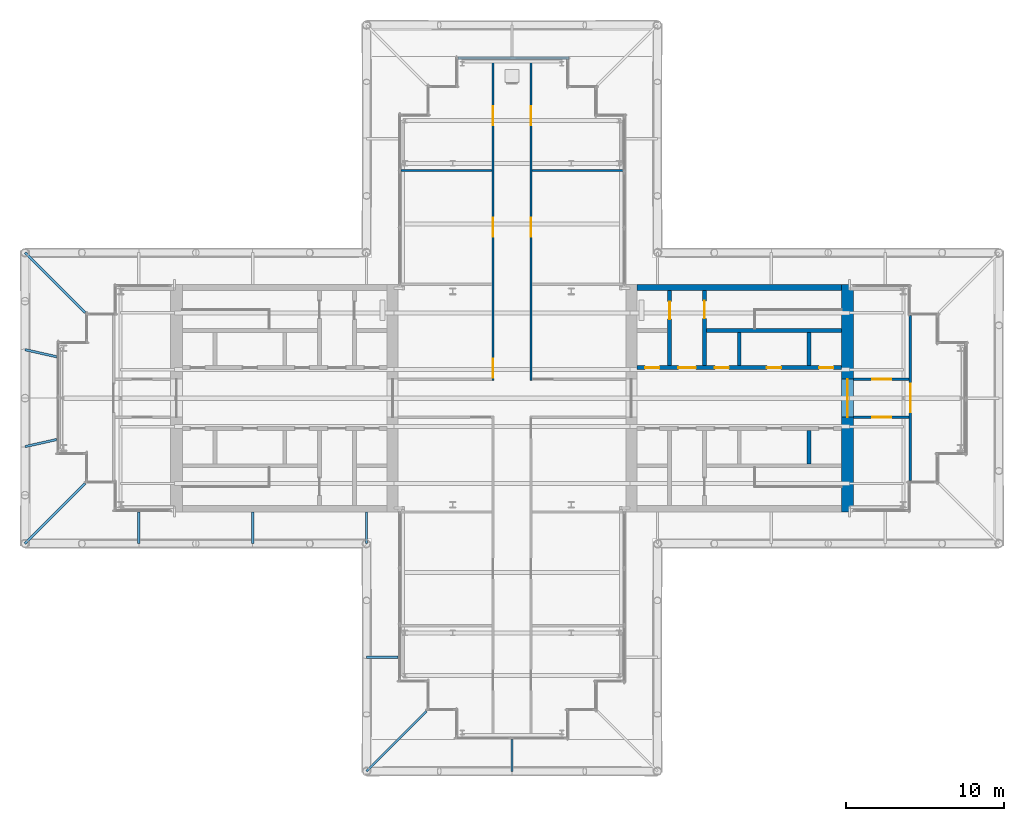
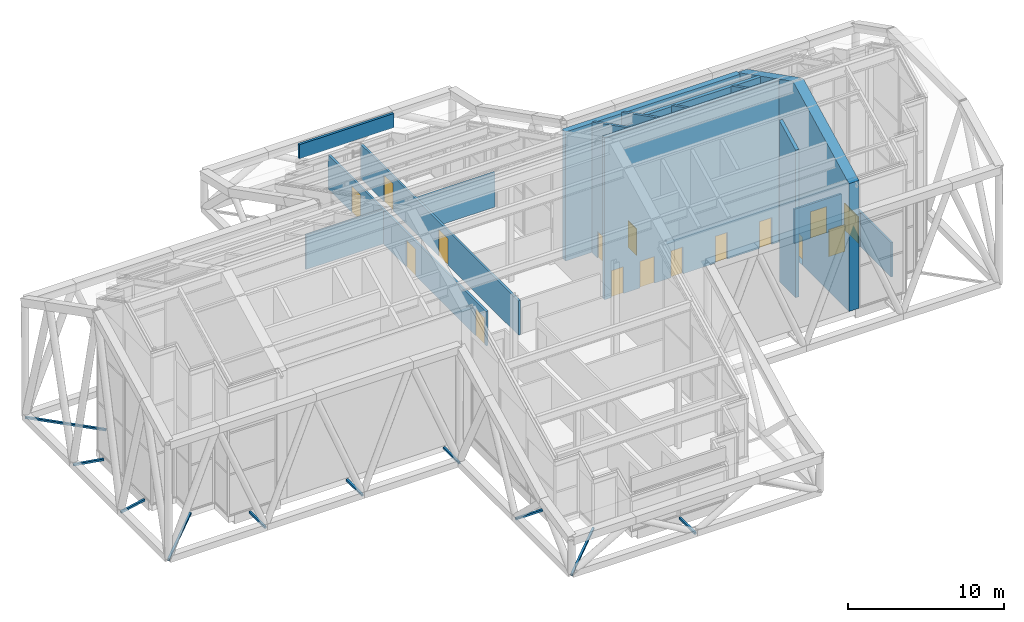
# One storey, part 22 of 25: 17 walls, 16 doors, 10 discrete accessories, 16 openings.
"""IFC4 building model written with IfcOpenShell, lengths in metres."""

from ifc_helpers import new_model, si_unit, direction, frame, frame_2d, origin, origin_2d, place, context, subcontext, project, spatial, polyline, rectangle, hollow_rectangle, outline, extrude, material, layer, layer_set, type_object, element, fill, save


model = new_model("IFC4")

# Units and contexts
model_context = context("Model", 3, precision=1e-05, world=origin(), true_north=direction((0.0, 1.0)))
body_context = subcontext(model_context, "Body", "Model", "MODEL_VIEW")
ifc_project = project(units=[si_unit("LENGTHUNIT", "METRE"), si_unit("AREAUNIT", "SQUARE_METRE"), si_unit("VOLUMEUNIT", "CUBIC_METRE"), si_unit("PLANEANGLEUNIT", "RADIAN"), si_unit("MASSUNIT", "GRAM", prefix="KILO")], contexts=[model_context])

# Site, building, storey
site_placement = place(None, origin())
site = spatial("IfcSite", under=ifc_project, at=site_placement, CompositionType="ELEMENT")
building_placement = place(site_placement, origin())
building = spatial("IfcBuilding", under=site, at=building_placement, Name="Fustian Cross Tower", CompositionType="ELEMENT")
storey_placement = place(building_placement, frame((0.0, 0.0, 247.5)))
storey = spatial("IfcBuildingStorey", under=building, at=storey_placement, Name="L77", CompositionType="ELEMENT", Elevation=247.5)

# Wall
ifc_material_1 = material(Name="Plasterboard on steel stud", Category="steel")
ifc_layer_1 = layer(ifc_material_1, 0.14990234375)
ifc_layer_set_1 = layer_set([ifc_layer_1], Name="Plasterboard on steel stud")
wall_type_1 = type_object("IfcWallType", Name="COMPARTMENT WALL 150 EI 60", PredefinedType="PARTITIONING", material=ifc_layer_set_1)
wall_1_placement = place(storey_placement, frame((-7.02001953125, 14.39990234375, 0.0), z_axis=(0.0, 0.0, 1.0), x_axis=(1.0, 0.0, 0.0)))
element("IfcWall", 1, at=wall_1_placement, inside=storey, type_object=wall_type_1, Name="Partition 9", PredefinedType="PARTITIONING", context=body_context, shape_type="SweptSolid", body=[
    extrude(rectangle(XDim=5.7451171875, YDim=0.14990234375, at=frame_2d((2.87255859375, 0.0))), origin(), (0.0, 0.0, 1.0), 2.699951171875),
])

# Wall, openings, doors
wall_2_placement = place(storey_placement, frame((-1.199951171875, 1.125, 0.0), z_axis=(0.0, 0.0, 1.0), x_axis=(0.0, 1.0, 0.0)))
wall_2 = element("IfcWall", 2, at=wall_2_placement, inside=storey, type_object=wall_type_1, Name="Partition 11", PredefinedType="PARTITIONING", context=body_context, shape_type="SweptSolid", body=[
    extrude(rectangle(XDim=20.294921875, YDim=0.14990234375, at=frame_2d((10.1474609375, 0.0))), origin(), (0.0, 0.0, 1.0), 2.699951171875),
])
opening_1_placement = place(wall_2_placement, frame((0.175048828125, 0.0, 0.0)))
opening_1 = element("IfcOpeningElement", 3, at=opening_1_placement, cuts=wall_2, Name="Opening D36002", PredefinedType="OPENING", context=body_context, shape_type="SweptSolid", body=[
    extrude(rectangle(XDim=1.199951171875, YDim=2.10009765625, at=frame_2d((0.60009765625, 1.050048828125))), frame((0.0, 0.0849609375, 0.0), z_axis=(0.0, -1.0, 0.0), x_axis=(1.0, 0.0, 0.0)), (0.0, 0.0, 1.0), 0.169921875),
])
opening_2_placement = place(wall_2_placement, frame((9.074951171875, 0.0, 0.0)))
opening_2 = element("IfcOpeningElement", 4, at=opening_2_placement, cuts=wall_2, Name="Opening D36005", PredefinedType="OPENING", context=body_context, shape_type="SweptSolid", body=[
    extrude(rectangle(XDim=1.199951171875, YDim=2.10009765625, at=frame_2d((0.60009765625, 1.050048828125))), frame((0.0, 0.0849609375, 0.0), z_axis=(0.0, -1.0, 0.0), x_axis=(1.0, 0.0, 0.0)), (0.0, 0.0, 1.0), 0.169921875),
])
opening_3_placement = place(wall_2_placement, frame((16.125, 0.0, 0.0)))
opening_3 = element("IfcOpeningElement", 5, at=opening_3_placement, cuts=wall_2, Name="Opening D36006", PredefinedType="OPENING", context=body_context, shape_type="SweptSolid", body=[
    extrude(rectangle(XDim=1.199951171875, YDim=2.10009765625, at=frame_2d((0.60009765625, 1.050048828125))), frame((0.0, 0.0849609375, 0.0), z_axis=(0.0, -1.0, 0.0), x_axis=(1.0, 0.0, 0.0)), (0.0, 0.0, 1.0), 0.169921875),
])
ifc_material_2 = material(Name="Timber fire door set", Category="wood")
door_type_1 = type_object("IfcDoorType", Name="FIRE SWING DOOR 1200 FD60S", OperationType="SINGLE_SWING_LEFT", PredefinedType="DOOR", material=ifc_material_2)
door_1_placement = place(opening_1_placement, origin())
door_1 = element("IfcDoor", 6, at=door_1_placement, inside=storey, type_object=door_type_1, Name="Door D36002", OperationType="SINGLE_SWING_LEFT", OverallHeight=2.10009765625, OverallWidth=1.199951171875, PredefinedType="DOOR", context=body_context, shape_type="SweptSolid", body=[
    extrude(rectangle(XDim=1.199951171875, YDim=2.10009765625, at=frame_2d((0.60009765625, 1.050048828125))), frame((0.0, 0.02490234375, 0.0), z_axis=(0.0, -1.0, 0.0), x_axis=(1.0, 0.0, 0.0)), (0.0, 0.0, 1.0), 0.050048828125),
])
fill(opening_1, door_1)
door_2_placement = place(opening_2_placement, frame((1.199951171875, 0.0, 0.0), z_axis=(0.0, 0.0, 1.0), x_axis=(-1.0, 0.0, 0.0)))
door_2 = element("IfcDoor", 7, at=door_2_placement, inside=storey, type_object=door_type_1, Name="Door D36005", OperationType="SINGLE_SWING_RIGHT", OverallHeight=2.10009765625, OverallWidth=1.199951171875, PredefinedType="DOOR", context=body_context, shape_type="SweptSolid", body=[
    extrude(rectangle(XDim=1.199951171875, YDim=2.10009765625, at=frame_2d((0.60009765625, 1.050048828125))), frame((0.0, 0.02490234375, 0.0), z_axis=(0.0, -1.0, 0.0), x_axis=(1.0, 0.0, 0.0)), (0.0, 0.0, 1.0), 0.050048828125),
])
fill(opening_2, door_2)
door_3_placement = place(opening_3_placement, frame((1.199951171875, 0.0, 0.0), z_axis=(0.0, 0.0, 1.0), x_axis=(-1.0, 0.0, 0.0)))
door_3 = element("IfcDoor", 8, at=door_3_placement, inside=storey, type_object=door_type_1, Name="Door D36006", OperationType="SINGLE_SWING_RIGHT", OverallHeight=2.10009765625, OverallWidth=1.199951171875, PredefinedType="DOOR", context=body_context, shape_type="SweptSolid", body=[
    extrude(rectangle(XDim=1.199951171875, YDim=2.10009765625, at=frame_2d((0.60009765625, 1.050048828125))), frame((0.0, 0.02490234375, 0.0), z_axis=(0.0, -1.0, 0.0), x_axis=(1.0, 0.0, 0.0)), (0.0, 0.0, 1.0), 0.050048828125),
])
fill(opening_3, door_3)

wall_3_placement = place(storey_placement, frame((1.199951171875, 1.125, 0.0), z_axis=(0.0, 0.0, 1.0), x_axis=(0.0, 1.0, 0.0)))
wall_3 = element("IfcWall", 9, at=wall_3_placement, inside=storey, type_object=wall_type_1, Name="Partition 16", PredefinedType="PARTITIONING", context=body_context, shape_type="SweptSolid", body=[
    extrude(rectangle(XDim=20.294921875, YDim=0.14990234375, at=frame_2d((10.1474609375, 0.0))), origin(), (0.0, 0.0, 1.0), 2.699951171875),
])
opening_4_placement = place(wall_3_placement, frame((9.074951171875, 0.0, 0.0)))
opening_4 = element("IfcOpeningElement", 10, at=opening_4_placement, cuts=wall_3, Name="Opening D36007", PredefinedType="OPENING", context=body_context, shape_type="SweptSolid", body=[
    extrude(rectangle(XDim=1.199951171875, YDim=2.10009765625, at=frame_2d((0.60009765625, 1.050048828125))), frame((0.0, 0.0849609375, 0.0), z_axis=(0.0, -1.0, 0.0), x_axis=(1.0, 0.0, 0.0)), (0.0, 0.0, 1.0), 0.169921875),
])
opening_5_placement = place(wall_3_placement, frame((16.125, 0.0, 0.0)))
opening_5 = element("IfcOpeningElement", 11, at=opening_5_placement, cuts=wall_3, Name="Opening D36008", PredefinedType="OPENING", context=body_context, shape_type="SweptSolid", body=[
    extrude(rectangle(XDim=1.199951171875, YDim=2.10009765625, at=frame_2d((0.60009765625, 1.050048828125))), frame((0.0, 0.0849609375, 0.0), z_axis=(0.0, -1.0, 0.0), x_axis=(1.0, 0.0, 0.0)), (0.0, 0.0, 1.0), 0.169921875),
])
door_4_placement = place(opening_4_placement, frame((1.199951171875, 0.0, 0.0), z_axis=(0.0, 0.0, 1.0), x_axis=(-1.0, 0.0, 0.0)))
door_4 = element("IfcDoor", 12, at=door_4_placement, inside=storey, type_object=door_type_1, Name="Door D36007", OperationType="SINGLE_SWING_RIGHT", OverallHeight=2.10009765625, OverallWidth=1.199951171875, PredefinedType="DOOR", context=body_context, shape_type="SweptSolid", body=[
    extrude(rectangle(XDim=1.199951171875, YDim=2.10009765625, at=frame_2d((0.60009765625, 1.050048828125))), frame((0.0, 0.02490234375, 0.0), z_axis=(0.0, -1.0, 0.0), x_axis=(1.0, 0.0, 0.0)), (0.0, 0.0, 1.0), 0.050048828125),
])
fill(opening_4, door_4)
door_5_placement = place(opening_5_placement, frame((1.199951171875, 0.0, 0.0), z_axis=(0.0, 0.0, 1.0), x_axis=(-1.0, 0.0, 0.0)))
door_5 = element("IfcDoor", 13, at=door_5_placement, inside=storey, type_object=door_type_1, Name="Door D36008", OperationType="SINGLE_SWING_RIGHT", OverallHeight=2.10009765625, OverallWidth=1.199951171875, PredefinedType="DOOR", context=body_context, shape_type="SweptSolid", body=[
    extrude(rectangle(XDim=1.199951171875, YDim=2.10009765625, at=frame_2d((0.60009765625, 1.050048828125))), frame((0.0, 0.02490234375, 0.0), z_axis=(0.0, -1.0, 0.0), x_axis=(1.0, 0.0, 0.0)), (0.0, 0.0, 1.0), 0.050048828125),
])
fill(opening_5, door_5)

# Wall
wall_4_placement = place(storey_placement, frame((1.27490234375, 14.39990234375, 0.0), z_axis=(0.0, 0.0, 1.0), x_axis=(1.0, 0.0, 0.0)))
element("IfcWall", 14, at=wall_4_placement, inside=storey, type_object=wall_type_1, Name="Partition 19", PredefinedType="PARTITIONING", context=body_context, shape_type="SweptSolid", body=[
    extrude(rectangle(XDim=5.7451171875, YDim=0.14990234375, at=frame_2d((2.87255859375, 0.0))), origin(), (0.0, 0.0, 1.0), 2.699951171875),
])

# Wall, opening, door
wall_5_placement = place(storey_placement, frame((21.60009765625, -1.199951171875, 0.0), z_axis=(0.0, 0.0, 1.0), x_axis=(1.0, 0.0, 0.0)))
wall_5 = element("IfcWall", 15, at=wall_5_placement, inside=storey, type_object=wall_type_1, Name="Partition 20", PredefinedType="PARTITIONING", context=body_context, shape_type="SweptSolid", body=[
    extrude(rectangle(XDim=3.52490234375, YDim=0.14990234375, at=frame_2d((1.762451171875, 0.0))), origin(), (0.0, 0.0, 1.0), 2.699951171875),
])
opening_6_placement = place(wall_5_placement, frame((1.199951171875, 0.0, 0.0)))
opening_6 = element("IfcOpeningElement", 16, at=opening_6_placement, cuts=wall_5, Name="Opening D36015", PredefinedType="OPENING", context=body_context, shape_type="SweptSolid", body=[
    extrude(rectangle(XDim=1.199951171875, YDim=2.10009765625, at=frame_2d((0.60009765625, 1.050048828125))), frame((0.0, 0.0849609375, 0.0), z_axis=(0.0, -1.0, 0.0), x_axis=(1.0, 0.0, 0.0)), (0.0, 0.0, 1.0), 0.169921875),
])
door_6_placement = place(opening_6_placement, frame((1.199951171875, 0.0, 0.0), z_axis=(0.0, 0.0, 1.0), x_axis=(-1.0, 0.0, 0.0)))
door_6 = element("IfcDoor", 17, at=door_6_placement, inside=storey, type_object=door_type_1, Name="Door D36015", OperationType="SINGLE_SWING_RIGHT", OverallHeight=2.10009765625, OverallWidth=1.199951171875, PredefinedType="DOOR", context=body_context, shape_type="SweptSolid", body=[
    extrude(rectangle(XDim=1.199951171875, YDim=2.10009765625, at=frame_2d((0.60009765625, 1.050048828125))), frame((0.0, 0.02490234375, 0.0), z_axis=(0.0, -1.0, 0.0), x_axis=(1.0, 0.0, 0.0)), (0.0, 0.0, 1.0), 0.050048828125),
])
fill(opening_6, door_6)

wall_6_placement = place(storey_placement, frame((21.60009765625, 1.199951171875, 0.0), z_axis=(0.0, 0.0, 1.0), x_axis=(1.0, 0.0, 0.0)))
wall_6 = element("IfcWall", 18, at=wall_6_placement, inside=storey, type_object=wall_type_1, Name="Partition 21", PredefinedType="PARTITIONING", context=body_context, shape_type="SweptSolid", body=[
    extrude(rectangle(XDim=3.52490234375, YDim=0.14990234375, at=frame_2d((1.762451171875, 0.0))), origin(), (0.0, 0.0, 1.0), 2.699951171875),
])
opening_7_placement = place(wall_6_placement, frame((1.199951171875, 0.0, 0.0)))
opening_7 = element("IfcOpeningElement", 19, at=opening_7_placement, cuts=wall_6, Name="Opening D36014", PredefinedType="OPENING", context=body_context, shape_type="SweptSolid", body=[
    extrude(rectangle(XDim=1.199951171875, YDim=2.10009765625, at=frame_2d((0.60009765625, 1.050048828125))), frame((0.0, 0.0849609375, 0.0), z_axis=(0.0, -1.0, 0.0), x_axis=(1.0, 0.0, 0.0)), (0.0, 0.0, 1.0), 0.169921875),
])
door_7_placement = place(opening_7_placement, frame((1.199951171875, 0.0, 0.0), z_axis=(0.0, 0.0, 1.0), x_axis=(-1.0, 0.0, 0.0)))
door_7 = element("IfcDoor", 20, at=door_7_placement, inside=storey, type_object=door_type_1, Name="Door D36014", OperationType="SINGLE_SWING_RIGHT", OverallHeight=2.10009765625, OverallWidth=1.199951171875, PredefinedType="DOOR", context=body_context, shape_type="SweptSolid", body=[
    extrude(rectangle(XDim=1.199951171875, YDim=2.10009765625, at=frame_2d((0.60009765625, 1.050048828125))), frame((0.0, 0.02490234375, 0.0), z_axis=(0.0, -1.0, 0.0), x_axis=(1.0, 0.0, 0.0)), (0.0, 0.0, 1.0), 0.050048828125),
])
fill(opening_7, door_7)

wall_7_placement = place(storey_placement, frame((25.199951171875, -5.219970703125, 0.0), z_axis=(0.0, 0.0, 1.0), x_axis=(0.0, 1.0, 0.0)))
wall_7 = element("IfcWall", 21, at=wall_7_placement, inside=storey, type_object=wall_type_1, Name="Partition 22", PredefinedType="PARTITIONING", context=body_context, shape_type="SweptSolid", body=[
    extrude(rectangle(XDim=10.43994140625, YDim=0.14990234375, at=frame_2d((5.219970703125, 0.0))), origin(), (0.0, 0.0, 1.0), 2.699951171875),
])
opening_8_placement = place(wall_7_placement, frame((4.320068359375, 0.0, 0.0)))
opening_8 = element("IfcOpeningElement", 22, at=opening_8_placement, cuts=wall_7, Name="Opening D36013", PredefinedType="OPENING", context=body_context, shape_type="SweptSolid", body=[
    extrude(rectangle(XDim=1.800048828125, YDim=2.10009765625, at=frame_2d((0.89990234375, 1.050048828125))), frame((0.0, 0.0849609375, 0.0), z_axis=(0.0, -1.0, 0.0), x_axis=(1.0, 0.0, 0.0)), (0.0, 0.0, 1.0), 0.169921875),
])
ifc_material_3 = material(Name="Timber fire door set", Category="wood")
door_type_2 = type_object("IfcDoorType", Name="FIRE DOUBLE DOOR 1800 FD60S", OperationType="DOUBLE_DOOR_DOUBLE_SWING", PredefinedType="DOOR", material=ifc_material_3)
door_8_placement = place(opening_8_placement, origin())
door_8 = element("IfcDoor", 23, at=door_8_placement, inside=storey, type_object=door_type_2, Name="Door D36013", OperationType="DOUBLE_DOOR_DOUBLE_SWING", OverallHeight=2.10009765625, OverallWidth=1.800048828125, PredefinedType="DOOR", context=body_context, shape_type="SweptSolid", body=[
    extrude(rectangle(XDim=1.800048828125, YDim=2.10009765625, at=frame_2d((0.89990234375, 1.050048828125))), frame((0.0, 0.02490234375, 0.0), z_axis=(0.0, -1.0, 0.0), x_axis=(1.0, 0.0, 0.0)), (0.0, 0.0, 1.0), 0.050048828125),
])
fill(opening_8, door_8)

ifc_material_4 = material(Name="Concrete C50/60", Category="concrete")
ifc_layer_2 = layer(ifc_material_4, 0.75)
ifc_layer_set_2 = layer_set([ifc_layer_2], Name="Concrete C50/60")
wall_type_2 = type_object("IfcWallType", Name="CORE END WALL 750 C50/60", PredefinedType="SHEAR", material=ifc_layer_set_2)
wall_8_placement = place(storey_placement, frame((21.22509765625, -7.199951171875, 0.0), z_axis=(0.0, 0.0, 1.0), x_axis=(0.0, 1.0, 0.0)))
wall_8 = element("IfcWall", 24, at=wall_8_placement, inside=storey, type_object=wall_type_2, Name="Core end wall", PredefinedType="SHEAR", context=body_context, shape_type="SweptSolid", body=[
    extrude(outline(polyline([(0.0, 0.0), (14.39990234375, 0.0), (14.39990234375, 10.033447265625), (7.199951171875, 13.699951171875), (0.0, 10.033447265625), (0.0, 0.0)])), frame((0.0, 0.375, 0.0), z_axis=(0.0, -1.0, 0.0), x_axis=(1.0, 0.0, 0.0)), (0.0, 0.0, 1.0), 0.75),
])
opening_9_placement = place(wall_8_placement, frame((6.0, 0.0, 0.0)))
opening_9 = element("IfcOpeningElement", 25, at=opening_9_placement, cuts=wall_8, Name="Opening CD-32-09", PredefinedType="OPENING", context=body_context, shape_type="SweptSolid", body=[
    extrude(rectangle(XDim=2.39990234375, YDim=2.199951171875, at=frame_2d((1.199951171875, 1.10009765625))), frame((0.0, 0.385009765625, 0.0), z_axis=(0.0, -1.0, 0.0), x_axis=(1.0, 0.0, 0.0)), (0.0, 0.0, 1.0), 0.77001953125),
])
ifc_material_5 = material(Name="Steel", Category="steel")
door_type_3 = type_object("IfcDoorType", Name="FIRE DOOR FD30S DOUBLE 2400X2200", OperationType="DOUBLE_DOOR_DOUBLE_SWING", PredefinedType="DOOR", material=ifc_material_5)
door_9_placement = place(opening_9_placement, origin())
door_9 = element("IfcDoor", 26, at=door_9_placement, inside=storey, type_object=door_type_3, Name="Core door CD-32-09", OperationType="DOUBLE_DOOR_DOUBLE_SWING", OverallHeight=2.199951171875, OverallWidth=2.39990234375, PredefinedType="DOOR", context=body_context, shape_type="SweptSolid", body=[
    extrude(rectangle(XDim=2.39990234375, YDim=2.199951171875, at=frame_2d((1.199951171875, 1.10009765625))), frame((0.0, 0.02490234375, 0.0), z_axis=(0.0, -1.0, 0.0), x_axis=(1.0, 0.0, 0.0)), (0.0, 0.0, 1.0), 0.050048828125),
])
fill(opening_9, door_9)

# Wall
ifc_material_6 = material(Name="Concrete C50/60", Category="concrete")
ifc_layer_3 = layer(ifc_material_6, 0.39990234375)
ifc_layer_set_3 = layer_set([ifc_layer_3], Name="Concrete C50/60")
wall_type_3 = type_object("IfcWallType", Name="CORE FACADE WALL 400 C50/60", PredefinedType="SHEAR", material=ifc_layer_set_3)
wall_9_placement = place(storey_placement, frame((7.89990234375, 7.0, 0.0), z_axis=(0.0, 0.0, 1.0), x_axis=(1.0, 0.0, 0.0)))
element("IfcWall", 27, at=wall_9_placement, inside=storey, type_object=wall_type_3, Name="Core facade wall", PredefinedType="SHEAR", context=body_context, shape_type="SweptSolid", body=[
    extrude(rectangle(XDim=12.9501953125, YDim=0.39990234375, at=frame_2d((6.47509765625, 0.0))), origin(), (0.0, 0.0, 1.0), 10.13525390625),
])

# Wall, openings, doors
ifc_material_7 = material(Name="Concrete C50/60", Category="concrete")
ifc_layer_4 = layer(ifc_material_7, 0.25)
ifc_layer_set_4 = layer_set([ifc_layer_4], Name="Concrete C50/60")
wall_type_4 = type_object("IfcWallType", Name="CORE LOBBY WALL 250 C50/60", PredefinedType="SHEAR", material=ifc_layer_set_4)
wall_10_placement = place(storey_placement, frame((7.89990234375, 1.925048828125, 0.0), z_axis=(0.0, 0.0, 1.0), x_axis=(1.0, 0.0, 0.0)))
wall_10 = element("IfcWall", 28, at=wall_10_placement, inside=storey, type_object=wall_type_4, Name="Core lobby wall", PredefinedType="SHEAR", context=body_context, shape_type="SweptSolid", body=[
    extrude(rectangle(XDim=12.9501953125, YDim=0.25, at=frame_2d((6.47509765625, 0.0))), origin(), (0.0, 0.0, 1.0), 12.7197265625),
])
opening_10_placement = place(wall_10_placement, frame((0.52490234375, 0.0, 0.0)))
opening_10 = element("IfcOpeningElement", 29, at=opening_10_placement, cuts=wall_10, Name="Opening CD-32-04", PredefinedType="OPENING", context=body_context, shape_type="SweptSolid", body=[
    extrude(rectangle(XDim=0.89990234375, YDim=2.10009765625, at=frame_2d((0.449951171875, 1.050048828125))), frame((0.0, 0.135009765625, 0.0), z_axis=(0.0, -1.0, 0.0), x_axis=(1.0, 0.0, 0.0)), (0.0, 0.0, 1.0), 0.27001953125),
])
opening_11_placement = place(wall_10_placement, frame((2.625, 0.0, 0.0)))
opening_11 = element("IfcOpeningElement", 30, at=opening_11_placement, cuts=wall_10, Name="Opening CD-32-06", PredefinedType="OPENING", context=body_context, shape_type="SweptSolid", body=[
    extrude(rectangle(XDim=1.10009765625, YDim=2.10009765625, at=frame_2d((0.550048828125, 1.050048828125))), frame((0.0, 0.135009765625, 0.0), z_axis=(0.0, -1.0, 0.0), x_axis=(1.0, 0.0, 0.0)), (0.0, 0.0, 1.0), 0.27001953125),
])
opening_12_placement = place(wall_10_placement, frame((4.925048828125, 0.0, 0.0)))
opening_12 = element("IfcOpeningElement", 31, at=opening_12_placement, cuts=wall_10, Name="Opening CD-32-10", PredefinedType="OPENING", context=body_context, shape_type="SweptSolid", body=[
    extrude(rectangle(XDim=0.89990234375, YDim=2.10009765625, at=frame_2d((0.449951171875, 1.050048828125))), frame((0.0, 0.135009765625, 0.0), z_axis=(0.0, -1.0, 0.0), x_axis=(1.0, 0.0, 0.0)), (0.0, 0.0, 1.0), 0.27001953125),
])
opening_13_placement = place(wall_10_placement, frame((8.22509765625, 0.0, 0.0)))
opening_13 = element("IfcOpeningElement", 32, at=opening_13_placement, cuts=wall_10, Name="Opening CD-32-11", PredefinedType="OPENING", context=body_context, shape_type="SweptSolid", body=[
    extrude(rectangle(XDim=0.89990234375, YDim=2.10009765625, at=frame_2d((0.449951171875, 1.050048828125))), frame((0.0, 0.135009765625, 0.0), z_axis=(0.0, -1.0, 0.0), x_axis=(1.0, 0.0, 0.0)), (0.0, 0.0, 1.0), 0.27001953125),
])
opening_14_placement = place(wall_10_placement, frame((11.52490234375, 0.0, 0.0)))
opening_14 = element("IfcOpeningElement", 33, at=opening_14_placement, cuts=wall_10, Name="Opening CD-32-12", PredefinedType="OPENING", context=body_context, shape_type="SweptSolid", body=[
    extrude(rectangle(XDim=0.89990234375, YDim=2.10009765625, at=frame_2d((0.449951171875, 1.050048828125))), frame((0.0, 0.135009765625, 0.0), z_axis=(0.0, -1.0, 0.0), x_axis=(1.0, 0.0, 0.0)), (0.0, 0.0, 1.0), 0.27001953125),
])
ifc_material_8 = material(Name="Steel", Category="steel")
door_type_4 = type_object("IfcDoorType", Name="FIRE DOOR FD30S 900X2100", OperationType="SINGLE_SWING_LEFT", PredefinedType="DOOR", material=ifc_material_8)
door_10_placement = place(opening_12_placement, origin())
door_10 = element("IfcDoor", 34, at=door_10_placement, inside=storey, type_object=door_type_4, Name="Core door CD-32-10", OperationType="SINGLE_SWING_LEFT", OverallHeight=2.10009765625, OverallWidth=0.89990234375, PredefinedType="DOOR", context=body_context, shape_type="SweptSolid", body=[
    extrude(rectangle(XDim=0.89990234375, YDim=2.10009765625, at=frame_2d((0.449951171875, 1.050048828125))), frame((0.0, 0.02490234375, 0.0), z_axis=(0.0, -1.0, 0.0), x_axis=(1.0, 0.0, 0.0)), (0.0, 0.0, 1.0), 0.050048828125),
])
fill(opening_12, door_10)
door_11_placement = place(opening_13_placement, origin())
door_11 = element("IfcDoor", 35, at=door_11_placement, inside=storey, type_object=door_type_4, Name="Core door CD-32-11", OperationType="SINGLE_SWING_RIGHT", OverallHeight=2.10009765625, OverallWidth=0.89990234375, PredefinedType="DOOR", context=body_context, shape_type="SweptSolid", body=[
    extrude(rectangle(XDim=0.89990234375, YDim=2.10009765625, at=frame_2d((0.449951171875, 1.050048828125))), frame((0.0, 0.02490234375, 0.0), z_axis=(0.0, -1.0, 0.0), x_axis=(1.0, 0.0, 0.0)), (0.0, 0.0, 1.0), 0.050048828125),
])
fill(opening_13, door_11)
door_12_placement = place(opening_14_placement, origin())
door_12 = element("IfcDoor", 36, at=door_12_placement, inside=storey, type_object=door_type_4, Name="Core door CD-32-12", OperationType="SINGLE_SWING_LEFT", OverallHeight=2.10009765625, OverallWidth=0.89990234375, PredefinedType="DOOR", context=body_context, shape_type="SweptSolid", body=[
    extrude(rectangle(XDim=0.89990234375, YDim=2.10009765625, at=frame_2d((0.449951171875, 1.050048828125))), frame((0.0, 0.02490234375, 0.0), z_axis=(0.0, -1.0, 0.0), x_axis=(1.0, 0.0, 0.0)), (0.0, 0.0, 1.0), 0.050048828125),
])
fill(opening_14, door_12)
ifc_material_9 = material(Name="Steel", Category="steel")
door_type_5 = type_object("IfcDoorType", Name="FIRE DOOR FD60S 1100X2100", OperationType="SINGLE_SWING_LEFT", PredefinedType="DOOR", material=ifc_material_9)
door_13_placement = place(opening_11_placement, frame((1.10009765625, 0.0, 0.0), z_axis=(0.0, 0.0, 1.0), x_axis=(-1.0, 0.0, 0.0)))
door_13 = element("IfcDoor", 37, at=door_13_placement, inside=storey, type_object=door_type_5, Name="Core door CD-32-06", OperationType="SINGLE_SWING_RIGHT", OverallHeight=2.10009765625, OverallWidth=1.10009765625, PredefinedType="DOOR", context=body_context, shape_type="SweptSolid", body=[
    extrude(rectangle(XDim=1.10009765625, YDim=2.10009765625, at=frame_2d((0.550048828125, 1.050048828125))), frame((0.0, 0.02490234375, 0.0), z_axis=(0.0, -1.0, 0.0), x_axis=(1.0, 0.0, 0.0)), (0.0, 0.0, 1.0), 0.050048828125),
])
fill(opening_11, door_13)
ifc_material_10 = material(Name="Steel", Category="steel")
door_type_6 = type_object("IfcDoorType", Name="FIRE DOOR FD60S 900X2100", OperationType="SINGLE_SWING_LEFT", PredefinedType="DOOR", material=ifc_material_10)
door_14_placement = place(opening_10_placement, origin())
door_14 = element("IfcDoor", 38, at=door_14_placement, inside=storey, type_object=door_type_6, Name="Core door CD-32-04", OperationType="SINGLE_SWING_LEFT", OverallHeight=2.10009765625, OverallWidth=0.89990234375, PredefinedType="DOOR", context=body_context, shape_type="SweptSolid", body=[
    extrude(rectangle(XDim=0.89990234375, YDim=2.10009765625, at=frame_2d((0.449951171875, 1.050048828125))), frame((0.0, 0.02490234375, 0.0), z_axis=(0.0, -1.0, 0.0), x_axis=(1.0, 0.0, 0.0)), (0.0, 0.0, 1.0), 0.050048828125),
])
fill(opening_10, door_14)

# Wall
ifc_material_11 = material(Name="Concrete C50/60", Category="concrete")
ifc_layer_5 = layer(ifc_material_11, 0.25)
ifc_layer_set_5 = layer_set([ifc_layer_5], Name="Concrete C50/60")
wall_type_5 = type_object("IfcWallType", Name="CORE SHAFT WALL 250 C50/60", PredefinedType="SHEAR", material=ifc_layer_set_5)
wall_11_placement = place(storey_placement, frame((12.300048828125, 4.27490234375, 0.0), z_axis=(0.0, 0.0, 1.0), x_axis=(1.0, 0.0, 0.0)))
element("IfcWall", 39, at=wall_11_placement, inside=storey, type_object=wall_type_5, Name="Core shaft wall", PredefinedType="SHEAR", context=body_context, shape_type="SweptSolid", body=[
    extrude(rectangle(XDim=8.550048828125, YDim=0.25, at=frame_2d((4.27490234375, 0.0))), origin(), (0.0, 0.0, 1.0), 11.52294921875),
])

# Wall, opening, door
wall_12_placement = place(storey_placement, frame((9.97509765625, 2.050048828125, 0.0), z_axis=(0.0, 0.0, 1.0), x_axis=(0.0, 1.0, 0.0)))
wall_12 = element("IfcWall", 40, at=wall_12_placement, inside=storey, type_object=wall_type_5, Name="Core shaft wall", PredefinedType="SHEAR", context=body_context, shape_type="SweptSolid", body=[
    extrude(outline(polyline([(0.0, 0.0), (4.75, 0.0), (4.75, 10.237060546875), (0.0, 12.656005859375), (0.0, 0.0)])), frame((0.0, 0.125, 0.0), z_axis=(0.0, -1.0, 0.0), x_axis=(1.0, 0.0, 0.0)), (0.0, 0.0, 1.0), 0.25),
])
opening_15_placement = place(wall_12_placement, frame((2.949951171875, 0.0, 0.0)))
opening_15 = element("IfcOpeningElement", 41, at=opening_15_placement, cuts=wall_12, Name="Opening LD", PredefinedType="OPENING", context=body_context, shape_type="SweptSolid", body=[
    extrude(rectangle(XDim=1.10009765625, YDim=2.10009765625, at=frame_2d((0.550048828125, 1.050048828125))), frame((0.0, 0.135009765625, 0.0), z_axis=(0.0, -1.0, 0.0), x_axis=(1.0, 0.0, 0.0)), (0.0, 0.0, 1.0), 0.27001953125),
])
ifc_material_12 = material(Name="Stainless steel", Category="steel")
door_type_7 = type_object("IfcDoorType", Name="LIFT LANDING DOOR 1100X2100", OperationType="SLIDING_TO_LEFT", PredefinedType="DOOR", material=ifc_material_12)
door_15_placement = place(opening_15_placement, origin())
door_15 = element("IfcDoor", 42, at=door_15_placement, inside=storey, type_object=door_type_7, Name="Landing door FL1", OperationType="SLIDING_TO_LEFT", OverallHeight=2.10009765625, OverallWidth=1.10009765625, PredefinedType="DOOR", context=body_context, shape_type="SweptSolid", body=[
    extrude(rectangle(XDim=1.10009765625, YDim=2.10009765625, at=frame_2d((0.550048828125, 1.050048828125))), frame((0.0, 0.02490234375, 0.0), z_axis=(0.0, -1.0, 0.0), x_axis=(1.0, 0.0, 0.0)), (0.0, 0.0, 1.0), 0.050048828125),
])
fill(opening_15, door_15)

wall_13_placement = place(storey_placement, frame((12.175048828125, 2.050048828125, 0.0), z_axis=(0.0, 0.0, 1.0), x_axis=(0.0, 1.0, 0.0)))
wall_13 = element("IfcWall", 43, at=wall_13_placement, inside=storey, type_object=wall_type_5, Name="Core shaft wall", PredefinedType="SHEAR", context=body_context, shape_type="SweptSolid", body=[
    extrude(outline(polyline([(0.0, 0.0), (4.75, 0.0), (4.75, 10.237060546875), (0.0, 12.656005859375), (0.0, 0.0)])), frame((0.0, 0.125, 0.0), z_axis=(0.0, -1.0, 0.0), x_axis=(1.0, 0.0, 0.0)), (0.0, 0.0, 1.0), 0.25),
])
opening_16_placement = place(wall_13_placement, frame((3.0, 0.0, 0.0)))
opening_16 = element("IfcOpeningElement", 44, at=opening_16_placement, cuts=wall_13, Name="Opening CD-32-02", PredefinedType="OPENING", context=body_context, shape_type="SweptSolid", body=[
    extrude(rectangle(XDim=1.10009765625, YDim=2.10009765625, at=frame_2d((0.550048828125, 1.050048828125))), frame((0.0, 0.135009765625, 0.0), z_axis=(0.0, -1.0, 0.0), x_axis=(1.0, 0.0, 0.0)), (0.0, 0.0, 1.0), 0.27001953125),
])
door_16_placement = place(opening_16_placement, frame((1.10009765625, 0.0, 0.0), z_axis=(0.0, 0.0, 1.0), x_axis=(-1.0, 0.0, 0.0)))
door_16 = element("IfcDoor", 45, at=door_16_placement, inside=storey, type_object=door_type_5, Name="Core door CD-32-02", OperationType="SINGLE_SWING_RIGHT", OverallHeight=2.10009765625, OverallWidth=1.10009765625, PredefinedType="DOOR", context=body_context, shape_type="SweptSolid", body=[
    extrude(rectangle(XDim=1.10009765625, YDim=2.10009765625, at=frame_2d((0.550048828125, 1.050048828125))), frame((0.0, 0.02490234375, 0.0), z_axis=(0.0, -1.0, 0.0), x_axis=(1.0, 0.0, 0.0)), (0.0, 0.0, 1.0), 0.050048828125),
])
fill(opening_16, door_16)

# Walls
ifc_material_13 = material(Name="Dark rainscreen cladding on blockwork", Category="masonry")
ifc_layer_6 = layer(ifc_material_13, 0.179931640625)
ifc_layer_set_6 = layer_set([ifc_layer_6], Name="Dark rainscreen cladding on blockwork")
wall_type_6 = type_object("IfcWallType", Name="CROWN PARAPET 180", PredefinedType="PARAPET", material=ifc_layer_set_6)
wall_14_placement = place(storey_placement, frame((3.60009765625, 21.510009765625, 3.12744140625), z_axis=(0.0, 0.0, 1.0), x_axis=(-1.0, 0.0, 0.0)))
element("IfcWall", 46, at=wall_14_placement, inside=storey, type_object=wall_type_6, Name="Crown parapet north eave", PredefinedType="PARAPET", context=body_context, shape_type="SweptSolid", body=[
    extrude(rectangle(XDim=7.02001953125, YDim=0.179931640625, at=frame_2d((3.510009765625, 0.0))), origin(), (0.0, 0.0, 1.0), 1.099853515625),
])
ifc_material_14 = material(Name="Concrete C40/50", Category="concrete")
ifc_layer_7 = layer(ifc_material_14, 0.25)
ifc_layer_set_7 = layer_set([ifc_layer_7], Name="Concrete C40/50")
wall_type_7 = type_object("IfcWallType", Name="SHAFT PARTITION WALL 250 C40/50", PredefinedType="PARTITIONING", material=ifc_layer_set_7)
for number, where, z_axis, x_axis, name in (
    (47, (14.375, 2.050048828125, 0.0), (0.0, 0.0, 1.0), (0.0, 1.0, 0.0), "Core shaft wall"),
    (48, (18.77490234375, 2.050048828125, 0.0), (0.0, 0.0, 1.0), (0.0, 1.0, 0.0), "Core shaft wall"),
    (49, (18.77490234375, -2.050048828125, 0.0), (0.0, 0.0, 1.0), (0.0, -1.0, 0.0), "Core shaft wall"),
):
    element("IfcWall", number, at=place(storey_placement, frame(where, z_axis=z_axis, x_axis=x_axis)), inside=storey, type_object=wall_type_7, Name=name, PredefinedType="PARTITIONING", context=body_context, shape_type="SweptSolid", body=[
        extrude(outline(polyline([(0.0, 0.0), (2.099853515625, 0.0), (2.10009765625, 11.586669921875), (0.0, 12.656005859375), (0.0, 0.0)])), frame((0.0, 0.125, 0.0), z_axis=(0.0, -1.0, 0.0), x_axis=(1.0, 0.0, 0.0)), (0.0, 0.0, 1.0), 0.25),
    ])

# Discrete accessories
ifc_material_15 = material(Name="Steel S355", Category="steel")
discrete_accessory_1_placement = place(storey_placement, frame((-30.800048828125, 9.199951171875, -0.14990234375), z_axis=(0.707106781187, -0.707106781187, 0.0), x_axis=(0.707106781187, 0.707106781187, 0.0)))
element("IfcDiscreteAccessory", 50, at=discrete_accessory_1_placement, inside=storey, material=ifc_material_15, Name="Diagrid node bracket L77-14", PredefinedType="BRACKET", context=body_context, shape_type="SweptSolid", body=[
    extrude(hollow_rectangle(XDim=0.14990234375, YDim=0.14990234375, WallThickness=0.010009765625, at=origin_2d()), origin(), (0.0, 0.0, 1.0), 5.3740234375),
])
for number, where, z_axis, x_axis, name in (
    (51, (-30.800048828125, 3.066650390625, -0.14990234375), (0.97561485681, -0.21948952406, 0.0), (0.21948952406, 0.97561485681, 0.0), "Diagrid node bracket L77-15"),
    (52, (-30.800048828125, -3.066650390625, -0.14990234375), (0.97561485681, 0.21948952406, 0.0), (-0.21948952406, 0.97561485681, 0.0), "Diagrid node bracket L77-16"),
):
    element("IfcDiscreteAccessory", number, at=place(storey_placement, frame(where, z_axis=z_axis, x_axis=x_axis)), inside=storey, material=ifc_material_15, Name=name, PredefinedType="BRACKET", context=body_context, shape_type="SweptSolid", body=[
        extrude(hollow_rectangle(XDim=0.14990234375, YDim=0.14990234375, WallThickness=0.010009765625, at=origin_2d()), origin(), (0.0, 0.0, 1.0), 2.050048828125),
    ])
discrete_accessory_2_placement = place(storey_placement, frame((-30.800048828125, -9.199951171875, -0.14990234375), z_axis=(0.707106781187, 0.707106781187, 0.0), x_axis=(-0.707106781187, 0.707106781187, 0.0)))
element("IfcDiscreteAccessory", 53, at=discrete_accessory_2_placement, inside=storey, material=ifc_material_15, Name="Diagrid node bracket L77-17", PredefinedType="BRACKET", context=body_context, shape_type="SweptSolid", body=[
    extrude(hollow_rectangle(XDim=0.14990234375, YDim=0.14990234375, WallThickness=0.010009765625, at=origin_2d()), origin(), (0.0, 0.0, 1.0), 5.3740234375),
])
for number, where, z_axis, x_axis, name in (
    (54, (-23.60009765625, -9.199951171875, -0.14990234375), (0.0, 1.0, 0.0), (-1.0, 0.0, 0.0), "Diagrid node bracket L77-18"),
    (55, (-16.39990234375, -9.199951171875, -0.14990234375), (0.0, 1.0, 0.0), (-1.0, 0.0, 0.0), "Diagrid node bracket L77-19"),
    (56, (-9.199951171875, -9.199951171875, -0.14990234375), (0.0, 1.0, 0.0), (-1.0, 0.0, 0.0), "Diagrid node bracket L77-20"),
    (57, (-9.199951171875, -16.39990234375, -0.14990234375), (1.0, 0.0, 0.0), (0.0, 1.0, 0.0), "Diagrid node bracket L77-21"),
):
    element("IfcDiscreteAccessory", number, at=place(storey_placement, frame(where, z_axis=z_axis, x_axis=x_axis)), inside=storey, material=ifc_material_15, Name=name, PredefinedType="BRACKET", context=body_context, shape_type="SweptSolid", body=[
        extrude(hollow_rectangle(XDim=0.14990234375, YDim=0.14990234375, WallThickness=0.010009765625, at=origin_2d()), origin(), (0.0, 0.0, 1.0), 2.0),
    ])
discrete_accessory_3_placement = place(storey_placement, frame((-9.199951171875, -23.60009765625, -0.14990234375), z_axis=(0.707106781187, 0.707106781187, 0.0), x_axis=(-0.707106781187, 0.707106781187, 0.0)))
element("IfcDiscreteAccessory", 58, at=discrete_accessory_3_placement, inside=storey, material=ifc_material_15, Name="Diagrid node bracket L77-22", PredefinedType="BRACKET", context=body_context, shape_type="SweptSolid", body=[
    extrude(hollow_rectangle(XDim=0.14990234375, YDim=0.14990234375, WallThickness=0.010009765625, at=origin_2d()), origin(), (0.0, 0.0, 1.0), 5.3740234375),
])
discrete_accessory_4_placement = place(storey_placement, frame((0.0, -23.60009765625, -0.14990234375), z_axis=(0.0, 1.0, 0.0), x_axis=(-1.0, 0.0, 0.0)))
element("IfcDiscreteAccessory", 59, at=discrete_accessory_4_placement, inside=storey, material=ifc_material_15, Name="Diagrid node bracket L77-23", PredefinedType="BRACKET", context=body_context, shape_type="SweptSolid", body=[
    extrude(hollow_rectangle(XDim=0.14990234375, YDim=0.14990234375, WallThickness=0.010009765625, at=origin_2d()), origin(), (0.0, 0.0, 1.0), 2.0),
])

save(model, "model.ifc")
